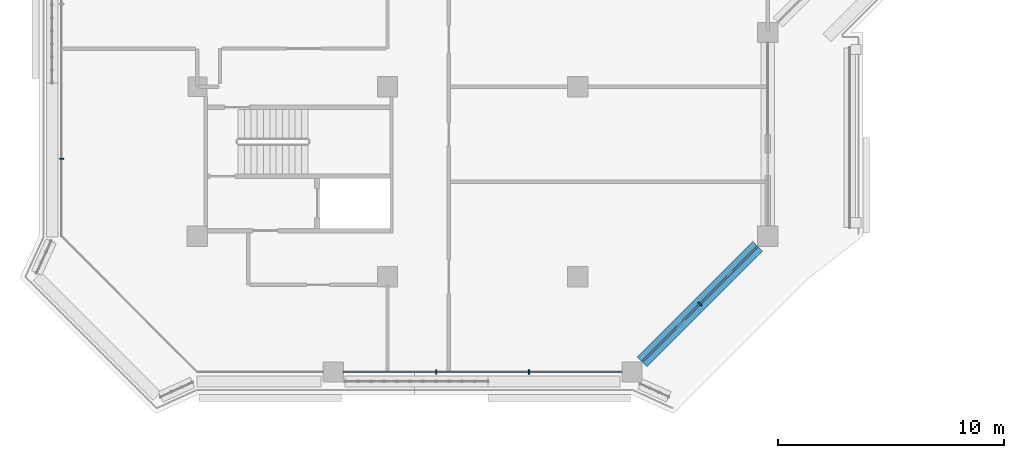
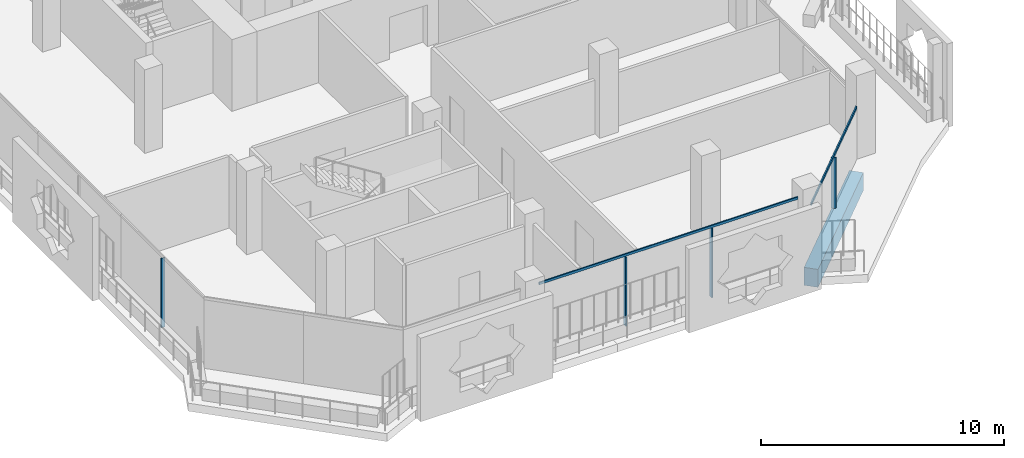
# One storey, part 2 of 21: 6 members, 1 beam, 3 elements without a shape of their own.
"""IFC4 building model written with IfcOpenShell, lengths in metres."""

import ifcopenshell
import ifcopenshell.guid

model = None  # the IFC model being written
_history = None  # IfcOwnerHistory: only IFC2X3 demands one
_inside = {}  # id of a spatial element -> (the spatial element, [elements in it])
_under = {}  # id of a project, library or spatial element -> (it, [spatial elements below it])
_declared = {}  # id of a project -> (the project, [libraries it declares])
_typed = {}  # id of a type object -> (the type object, [elements of that type])
_made_of = {}  # id of a material, layer set ... -> (it, [elements and type objects made of it])


def new_model(schema):
    """Start an empty IFC model of exactly this schema.

    Asked for "IFC4X3", IfcOpenShell would pick the latest addendum, in which some entities
    have other attributes; the version numbers below select the first issue.
    IFC2X3 requires an IfcOwnerHistory on every rooted entity: one is made here for all.
    """
    global model, _history
    if schema == "IFC4X3":
        model = ifcopenshell.file(schema_version=(4, 3, 0, 0))
    else:
        model = ifcopenshell.file(schema=schema)
    _inside.clear()
    _under.clear()
    _declared.clear()
    _typed.clear()
    _made_of.clear()
    _history = None
    if model.schema == "IFC2X3":
        org = make("IfcOrganization", Name="unknown")
        user = make(
            "IfcPersonAndOrganization",
            ThePerson=make("IfcPerson", FamilyName="unknown"),
            TheOrganization=org,
        )
        app = make(
            "IfcApplication",
            ApplicationDeveloper=org,
            Version="unknown",
            ApplicationFullName="unknown",
            ApplicationIdentifier="unknown",
        )
        _history = make(
            "IfcOwnerHistory",
            OwningUser=user,
            OwningApplication=app,
            ChangeAction="ADDED",
            CreationDate=0,
        )
    return model


def make(cls, **values):
    """One entity of the class cls with the attributes given. An attribute that is None is left unset."""
    return model.create_entity(
        cls, **{name: value for name, value in values.items() if value is not None}
    )


def rooted(cls, **values):
    """An entity with a GlobalId (a new one), such as an element, a storey or a relation."""
    return make(cls, GlobalId=ifcopenshell.guid.new(), OwnerHistory=_history, **values)


def si_unit(unit_type, name, prefix=None):
    """IfcSIUnit, for example si_unit("LENGTHUNIT", "METRE", prefix="MILLI")."""
    return make("IfcSIUnit", UnitType=unit_type, Prefix=prefix, Name=name)


def assignment(units):
    """IfcUnitAssignment: the units of a project."""
    return None if units is None else make("IfcUnitAssignment", Units=units)


def point(xyz):
    """IfcCartesianPoint."""
    return None if xyz is None else make("IfcCartesianPoint", Coordinates=xyz)


def direction(xyz):
    """IfcDirection."""
    return None if xyz is None else make("IfcDirection", DirectionRatios=xyz)


def frame(location, z_axis=None, x_axis=None):
    """IfcAxis2Placement3D, a coordinate frame: its origin and axes. An axis left out is left unset."""
    return make(
        "IfcAxis2Placement3D",
        Location=point(location),
        Axis=direction(z_axis),
        RefDirection=direction(x_axis),
    )


def frame_2d(location, x_axis=None):
    """IfcAxis2Placement2D, a coordinate frame in the plane: its origin and x axis."""
    return make(
        "IfcAxis2Placement2D", Location=point(location), RefDirection=direction(x_axis)
    )


def origin():
    """The frame at (0, 0, 0) with its axes left unset."""
    return frame((0.0, 0.0, 0.0))


def origin_2d():
    """The frame at (0, 0) in the plane with its x axis left unset."""
    return frame_2d((0.0, 0.0))


def place(relative_to, where):
    """IfcLocalPlacement: puts the frame where relative to a parent placement (None: the world)."""
    return make(
        "IfcLocalPlacement", PlacementRelTo=relative_to, RelativePlacement=where
    )


def context(
    kind, dimensions, precision=None, world=None, true_north=None, identifier=None
):
    """IfcGeometricRepresentationContext, for example the 3D "Model" context."""
    return make(
        "IfcGeometricRepresentationContext",
        ContextIdentifier=identifier,
        ContextType=kind,
        CoordinateSpaceDimension=dimensions,
        Precision=precision,
        WorldCoordinateSystem=world,
        TrueNorth=true_north,
    )


def subcontext(parent, identifier, kind, view, scale=None):
    """IfcGeometricRepresentationSubContext, for example "Body" below "Model"."""
    return make(
        "IfcGeometricRepresentationSubContext",
        ContextIdentifier=identifier,
        ContextType=kind,
        ParentContext=parent,
        TargetScale=scale,
        TargetView=view,
    )


def project(units=None, contexts=None):
    """IfcProject with its units and contexts."""
    return rooted(
        "IfcProject",
        Name="project",
        RepresentationContexts=contexts,
        UnitsInContext=assignment(units),
    )


def spatial(cls, under=None, at=None, **own):
    """A site, building, storey or space (cls), placed at a placement, below another one or the project."""
    s = rooted(cls, ObjectPlacement=at, **own)
    if under is not None:
        _under.setdefault(under.id(), (under, []))[1].append(s)
    return s


def profile(cls, at=None, kind="AREA", **sizes):
    """A parametric profile (cls). Its sizes go by their IFC names, for example OverallWidth=200.0."""
    return make(cls, ProfileType=kind, Position=at, **sizes)


def rectangle(**sizes):
    """IfcRectangleProfileDef."""
    return profile("IfcRectangleProfileDef", **sizes)


def extrude(swept, where, along, depth):
    """IfcExtrudedAreaSolid: the profile swept, set in the frame where, extruded along a direction by depth."""
    return make(
        "IfcExtrudedAreaSolid",
        SweptArea=swept,
        Position=where,
        ExtrudedDirection=direction(along),
        Depth=depth,
    )


def shape(context_of_items, identifier, shape_type, items):
    """IfcShapeRepresentation: the items that make up one representation, for example the "Body"."""
    return make(
        "IfcShapeRepresentation",
        ContextOfItems=context_of_items,
        RepresentationIdentifier=identifier,
        RepresentationType=shape_type,
        Items=items,
    )


def material(Name=None, Category=None):
    """IfcMaterial."""
    return make("IfcMaterial", Name=Name, Category=Category)


def layer(
    of_material, thickness, ventilated=None, Name=None, Category=None, Priority=None
):
    """IfcMaterialLayer: one layer of a wall or slab, of a material (None: an air gap)."""
    return make(
        "IfcMaterialLayer",
        Material=of_material,
        LayerThickness=thickness,
        IsVentilated=ventilated,
        Name=Name,
        Category=Category,
        Priority=Priority,
    )


def layer_set(layers, Name=None):
    """IfcMaterialLayerSet."""
    return make("IfcMaterialLayerSet", MaterialLayers=layers, LayerSetName=Name)


def material_profile(
    of_material, cross_section, Name=None, Category=None, Priority=None
):
    """IfcMaterialProfile: a cross section and its material."""
    return make(
        "IfcMaterialProfile",
        Name=Name,
        Material=of_material,
        Profile=cross_section,
        Priority=Priority,
        Category=Category,
    )


def profile_set(profiles, Name=None, composite=None):
    """IfcMaterialProfileSet."""
    return make(
        "IfcMaterialProfileSet",
        Name=Name,
        MaterialProfiles=profiles,
        CompositeProfile=composite,
    )


def made_of(thing, what):
    """Note that an element or type object is made of a material, layer set ...; save() writes the relation."""
    if what is not None:
        _made_of.setdefault(what.id(), (what, []))[1].append(thing)
    return thing


def type_object(cls, material=None, **own):
    """A type object (cls), such as IfcWallType, which elements share."""
    return made_of(rooted(cls, **own), material)


def element(
    cls,
    number,
    at=None,
    inside=None,
    cuts=None,
    type_object=None,
    material=None,
    context=None,
    identifier="Body",
    shape_type=None,
    held_by="IfcProductDefinitionShape",
    body=None,
    shapes=None,
    **own,
):
    """One element of the class cls, such as IfcWall. Its Tag is "e" and its number.

    at: its placement. inside: the storey or other place that contains it. cuts: it is an
    opening in that element (IfcRelVoidsElement). A single representation is given by context,
    identifier, shape_type and body (its items); several are given by shapes. held_by: the class
    of the entity that holds the representations. save() writes the other relations.
    """
    e = rooted(cls, Tag="e%d" % number, ObjectPlacement=at, **own)
    if body is not None:
        shapes = [shape(context, identifier, shape_type, body)]
    if shapes is not None:
        e.Representation = make(held_by, Representations=shapes)
    if inside is not None:
        _inside.setdefault(inside.id(), (inside, []))[1].append(e)
    if cuts is not None:
        rooted(
            "IfcRelVoidsElement", RelatingBuildingElement=cuts, RelatedOpeningElement=e
        )
    if type_object is not None:
        _typed.setdefault(type_object.id(), (type_object, []))[1].append(e)
    return made_of(e, material)


def aggregate(whole, parts):
    """IfcRelAggregates: a whole, such as a stair, and the parts it consists of."""
    return rooted("IfcRelAggregates", RelatingObject=whole, RelatedObjects=parts)


def save(model, path):
    """Write the relations noted so far, then the file.

    IfcRelAggregates (storeys below a building ...), IfcRelContainedInSpatialStructure (elements
    in a storey), IfcRelDefinesByType, IfcRelAssociatesMaterial and IfcRelDeclares: one each for
    every whole, place, type object, material and project.
    """
    for whole, parts in _under.values():
        aggregate(whole, parts)
    for where, things in _inside.values():
        rooted(
            "IfcRelContainedInSpatialStructure",
            RelatedElements=things,
            RelatingStructure=where,
        )
    for kind, things in _typed.values():
        rooted("IfcRelDefinesByType", RelatedObjects=things, RelatingType=kind)
    for what, things in _made_of.values():
        rooted("IfcRelAssociatesMaterial", RelatedObjects=things, RelatingMaterial=what)
    for by, libraries in _declared.values():
        rooted("IfcRelDeclares", RelatingContext=by, RelatedDefinitions=libraries)
    model.write(path)


model = new_model("IFC4")

# Units and contexts
model_context = context("Model", 3, precision=1e-05, world=origin(), true_north=direction((0.0, 1.0)))
body_context = subcontext(model_context, "Body", "Model", "MODEL_VIEW")
ifc_project = project(units=[si_unit("LENGTHUNIT", "METRE"), si_unit("AREAUNIT", "SQUARE_METRE"), si_unit("VOLUMEUNIT", "CUBIC_METRE"), si_unit("PLANEANGLEUNIT", "RADIAN"), si_unit("MASSUNIT", "GRAM", prefix="KILO")], contexts=[model_context])

# Site, building, storey
site_placement = place(None, origin())
site = spatial("IfcSite", under=ifc_project, at=site_placement, CompositionType="ELEMENT")
building_placement = place(site_placement, origin())
building = spatial("IfcBuilding", under=site, at=building_placement, Name="Kawkab Arch Medical Tower", CompositionType="ELEMENT")
storey_placement = place(building_placement, frame((0.0, 0.0, 260.0)))
storey = spatial("IfcBuildingStorey", under=building, at=storey_placement, Name="L60", CompositionType="ELEMENT", Elevation=260.0)

# Curtain wall, member
ifc_material_1 = material(Name="Bronze anodised aluminium curtain wall frame", Category="aluminium")
ifc_layer_1 = layer(ifc_material_1, 0.159912109375)
ifc_layer_set_1 = layer_set([ifc_layer_1], Name="Bronze anodised aluminium curtain wall frame")
curtain_wall_type_1 = type_object("IfcCurtainWallType", Name="CW1 ward curtain wall", PredefinedType="NOTDEFINED", material=ifc_layer_set_1)
placement = place(storey_placement, origin())
curtain_wall_1 = element("IfcCurtainWall", 1, at=placement, inside=storey, type_object=curtain_wall_type_1, Name="CW1 Ward curtain wall R01", PredefinedType="NOTDEFINED")
ifc_material_2 = material(Name="Bronze anodised aluminium curtain wall frame", Category="aluminium")
ifc_material_profile_1 = material_profile(ifc_material_2, rectangle(XDim=0.179931640625, YDim=0.06005859375, at=origin_2d()), Name="AL 60x180")
ifc_profile_set_1 = profile_set([ifc_material_profile_1], Name="Bronze anodised aluminium curtain wall frame")
member_type_1 = type_object("IfcMemberType", Name="CW1 mullion 60 x 180", PredefinedType="MULLION", material=ifc_profile_set_1)
member_1_placement = place(storey_placement, frame((-6.0, -36.780029296875, 0.0), z_axis=(0.0, 0.0, 1.0), x_axis=(1.0, 0.0, 0.0)))
member_1 = element("IfcMember", 2, at=member_1_placement, type_object=member_type_1, Name="CW1 mullion 5.1", PredefinedType="MULLION", context=body_context, shape_type="SweptSolid", body=[
    extrude(rectangle(XDim=0.179931640625, YDim=0.06005859375, at=origin_2d()), origin(), (0.0, 0.0, 1.0), 3.47998046875),
])
aggregate(curtain_wall_1, [member_1])

# Curtain wall, members
curtain_wall_2 = element("IfcCurtainWall", 3, at=placement, inside=storey, type_object=curtain_wall_type_1, Name="CW1 Ward curtain wall R03", PredefinedType="NOTDEFINED")
member_2_placement = place(storey_placement, frame((10.550048828125, -46.199951171875, 0.0), z_axis=(0.0, 0.0, 1.0), x_axis=(0.0, 1.0, 0.0)))
member_2 = element("IfcMember", 4, at=member_2_placement, type_object=member_type_1, Name="CW1 mullion 2.1", PredefinedType="MULLION", context=body_context, shape_type="SweptSolid", body=[
    extrude(rectangle(XDim=0.179931640625, YDim=0.06005859375, at=origin_2d()), origin(), (0.0, 0.0, 1.0), 3.47998046875),
])
member_3_placement = place(storey_placement, frame((14.64990234375, -46.199951171875, 0.0), z_axis=(0.0, 0.0, 1.0), x_axis=(0.0, 1.0, 0.0)))
member_3 = element("IfcMember", 5, at=member_3_placement, type_object=member_type_1, Name="CW1 mullion 2.2", PredefinedType="MULLION", context=body_context, shape_type="SweptSolid", body=[
    extrude(rectangle(XDim=0.179931640625, YDim=0.06005859375, at=origin_2d()), origin(), (0.0, 0.0, 1.0), 3.47998046875),
])
ifc_material_3 = material(Name="Bronze anodised aluminium curtain wall frame", Category="aluminium")
ifc_material_profile_2 = material_profile(ifc_material_3, rectangle(XDim=0.06005859375, YDim=0.1201171875, at=origin_2d()), Name="AL 60x120")
ifc_profile_set_2 = profile_set([ifc_material_profile_2], Name="Bronze anodised aluminium curtain wall frame")
member_type_2 = type_object("IfcMemberType", Name="CW1 transom 120 x 60", PredefinedType="USERDEFINED", material=ifc_profile_set_2)
member_4_placement = place(storey_placement, frame((6.449951171875, -46.199951171875, 3.5400390625), z_axis=(1.0, 0.0, 0.0), x_axis=(0.0, 1.0, 0.0)))
member_4 = element("IfcMember", 6, at=member_4_placement, type_object=member_type_2, Name="CW1 transom 2", ObjectType="TRANSOM", PredefinedType="USERDEFINED", context=body_context, shape_type="SweptSolid", body=[
    extrude(rectangle(XDim=0.06005859375, YDim=0.1201171875, at=origin_2d()), origin(), (0.0, 0.0, 1.0), 12.300048828125),
])
aggregate(curtain_wall_2, [member_4, member_2, member_3])

ifc_material_4 = material(Name="Bronze anodised aluminium curtain wall frame", Category="aluminium")
ifc_layer_2 = layer(ifc_material_4, 0.159912109375)
ifc_layer_set_2 = layer_set([ifc_layer_2], Name="Bronze anodised aluminium curtain wall frame")
curtain_wall_type_2 = type_object("IfcCurtainWallType", Name="CW2 chamfer curtain wall", PredefinedType="NOTDEFINED", material=ifc_layer_set_2)
curtain_wall_3 = element("IfcCurtainWall", 7, at=placement, inside=storey, type_object=curtain_wall_type_2, Name="CW2 Chamfer curtain wall R04", PredefinedType="NOTDEFINED")
ifc_material_5 = material(Name="Bronze anodised aluminium curtain wall frame", Category="aluminium")
ifc_material_profile_3 = material_profile(ifc_material_5, rectangle(XDim=0.199951171875, YDim=0.06005859375, at=origin_2d()), Name="AL 60x200")
ifc_profile_set_3 = profile_set([ifc_material_profile_3], Name="Bronze anodised aluminium curtain wall frame")
member_type_3 = type_object("IfcMemberType", Name="CW2 mullion 60 x 200", PredefinedType="MULLION", material=ifc_profile_set_3)
member_5_placement = place(storey_placement, frame((22.199951171875, -43.199951171875, 0.0), z_axis=(0.0, 0.0, 1.0), x_axis=(-0.707106781187, 0.707106781187, 0.0)))
member_5 = element("IfcMember", 8, at=member_5_placement, type_object=member_type_3, Name="CW2 mullion 1.1", PredefinedType="MULLION", context=body_context, shape_type="SweptSolid", body=[
    extrude(rectangle(XDim=0.199951171875, YDim=0.06005859375, at=origin_2d()), origin(), (0.0, 0.0, 1.0), 2.56005859375),
])
ifc_material_6 = material(Name="Bronze anodised aluminium curtain wall frame", Category="aluminium")
ifc_material_profile_4 = material_profile(ifc_material_6, rectangle(XDim=0.06005859375, YDim=0.139892578125, at=origin_2d()), Name="AL 60x140")
ifc_profile_set_4 = profile_set([ifc_material_profile_4], Name="Bronze anodised aluminium curtain wall frame")
member_type_4 = type_object("IfcMemberType", Name="CW2 transom 140 x 60", PredefinedType="USERDEFINED", material=ifc_profile_set_4)
member_6_placement = place(storey_placement, frame((19.64990234375, -45.75, 2.6298828125), z_axis=(0.707106781187, 0.707106781187, 0.0), x_axis=(-0.707106781187, 0.707106781187, 0.0)))
member_6 = element("IfcMember", 9, at=member_6_placement, type_object=member_type_4, Name="CW2 transom 1", ObjectType="TRANSOM", PredefinedType="USERDEFINED", context=body_context, shape_type="SweptSolid", body=[
    extrude(rectangle(XDim=0.06005859375, YDim=0.139892578125, at=origin_2d()), origin(), (0.0, 0.0, 1.0), 7.212646484375),
])
aggregate(curtain_wall_3, [member_6, member_5])

# Beam
ifc_material_7 = material(Name="Concrete C45/55", Category="concrete")
ifc_material_profile_5 = material_profile(ifc_material_7, rectangle(XDim=0.60009765625, YDim=0.89990234375, at=origin_2d()), Name="RC 600x900")
ifc_profile_set_5 = profile_set([ifc_material_profile_5], Name="Concrete C45/55")
beam_type = type_object("IfcBeamType", Name="RC 600x900 beam C45/55", PredefinedType="BEAM", material=ifc_profile_set_5)
beam_placement = place(storey_placement, frame((24.75, -40.64990234375, -1.050048828125), z_axis=(-0.707106781187, -0.707106781187, 0.0), x_axis=(0.707106781187, -0.707106781187, 0.0)))
element("IfcBeam", 10, at=beam_placement, inside=storey, type_object=beam_type, Name="Overhang edge beam L60-06", PredefinedType="BEAM", context=body_context, shape_type="SweptSolid", body=[
    extrude(rectangle(XDim=0.60009765625, YDim=0.89990234375, at=origin_2d()), origin(), (0.0, 0.0, 1.0), 7.212646484375),
])

save(model, "model.ifc")
